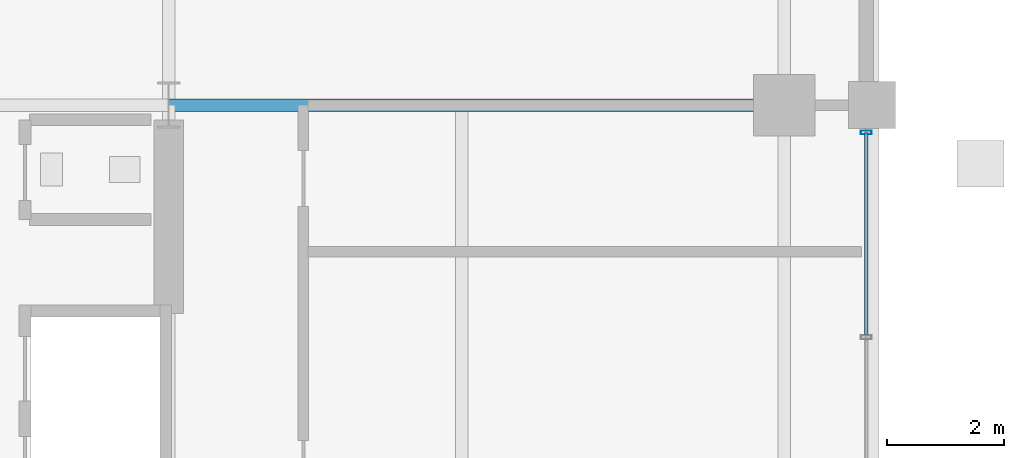
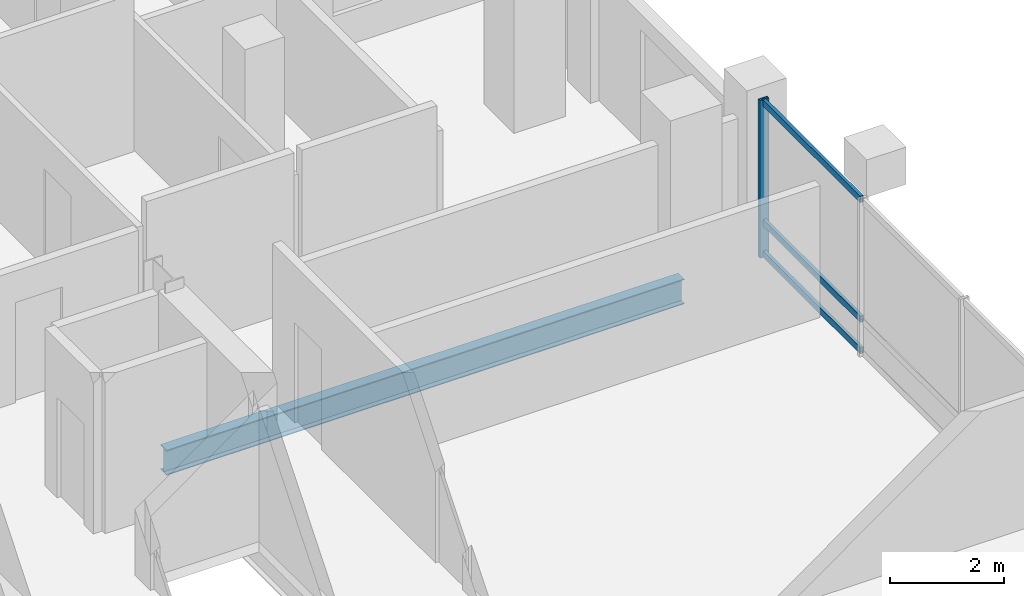
# One storey, part 11 of 24: 4 members, 1 beam, 1 element without a shape of its own.
"""IFC4 building model written with IfcOpenShell, lengths in metres."""

from ifc_helpers import new_model, si_unit, direction, frame, origin, origin_2d, place, context, subcontext, project, spatial, hollow_rectangle, i_section, extrude, material, layer, layer_set, material_profile, profile_set, type_object, element, aggregate, save


model = new_model("IFC4")

# Units and contexts
model_context = context("Model", 3, precision=1e-05, world=origin(), true_north=direction((0.0, 1.0)))
body_context = subcontext(model_context, "Body", "Model", "MODEL_VIEW")
ifc_project = project(units=[si_unit("LENGTHUNIT", "METRE"), si_unit("AREAUNIT", "SQUARE_METRE"), si_unit("VOLUMEUNIT", "CUBIC_METRE"), si_unit("PLANEANGLEUNIT", "RADIAN"), si_unit("MASSUNIT", "GRAM", prefix="KILO")], contexts=[model_context])

# Site, building, storey
site_placement = place(None, origin())
site = spatial("IfcSite", under=ifc_project, at=site_placement, CompositionType="ELEMENT")
building_placement = place(site_placement, origin())
building = spatial("IfcBuilding", under=site, at=building_placement, Name="Barlavira Tower and Art Museum", CompositionType="ELEMENT")
storey_placement = place(building_placement, frame((0.0, 0.0, 190.800048828125)))
storey = spatial("IfcBuildingStorey", under=building, at=storey_placement, Name="L49", CompositionType="ELEMENT", Elevation=190.800048828125)

# Curtain wall, members
ifc_material_1 = material(Name="Low-iron coastal laminated glass", Category="glass")
ifc_layer = layer(ifc_material_1, 0.199951171875, Name="Low-iron coastal laminated glass")
ifc_layer_set = layer_set([ifc_layer], Name="Low-iron coastal laminated glass")
curtain_wall_type = type_object("IfcCurtainWallType", Name="Pale-Metal Unitised Curtain Wall Zone 3", PredefinedType="NOTDEFINED", material=ifc_layer_set)
curtain_wall_placement = place(storey_placement, origin())
curtain_wall = element("IfcCurtainWall", 1, at=curtain_wall_placement, inside=storey, type_object=curtain_wall_type, Name="L49 Curtain Wall CW3-L49-E-B3", PredefinedType="NOTDEFINED")
ifc_material_2 = material(Name="Pale anodised aluminium", Category="aluminium")
ifc_material_profile_1 = material_profile(ifc_material_2, hollow_rectangle(XDim=0.06494140625, YDim=0.179931640625, WallThickness=0.00390625, at=origin_2d()), Name="ALU-MULL 65x180x4")
ifc_profile_set_1 = profile_set([ifc_material_profile_1], Name="Pale anodised aluminium")
member_type_1 = type_object("IfcMemberType", Name="Curtain Wall Pale-Metal Mullion 65x180", PredefinedType="MULLION", material=ifc_profile_set_1)
member_1_placement = place(storey_placement, frame((18.39990234375, 7.034912109375, 0.0), z_axis=(0.0, 0.0, 1.0), x_axis=(0.0, 1.0, 0.0)))
member_1 = element("IfcMember", 2, at=member_1_placement, type_object=member_type_1, Name="CW3-L49-E-B3 Mullion 4", PredefinedType="MULLION", context=body_context, shape_type="SweptSolid", body=[
    extrude(hollow_rectangle(XDim=0.06494140625, YDim=0.179931640625, WallThickness=0.00390625, at=origin_2d()), origin(), (0.0, 0.0, 1.0), 3.3798828125),
])
ifc_material_profile_2 = material_profile(ifc_material_2, hollow_rectangle(XDim=0.06494140625, YDim=0.139892578125, WallThickness=0.00390625, at=origin_2d()), Name="ALU-TRAN 65x140x4")
ifc_profile_set_2 = profile_set([ifc_material_profile_2], Name="Pale anodised aluminium")
member_type_2 = type_object("IfcMemberType", Name="Curtain Wall Pale-Metal Transom 65x140", PredefinedType="USERDEFINED", material=ifc_profile_set_2)
member_2_placement = place(storey_placement, frame((18.39990234375, 3.5849609375, 0.070068359375), z_axis=(0.0, 1.0, 0.0), x_axis=(-1.0, 0.0, 0.0)))
member_2 = element("IfcMember", 3, at=member_2_placement, type_object=member_type_2, Name="CW3-L49-E-B3 Transom 3.1", ObjectType="TRANSOM", PredefinedType="USERDEFINED", context=body_context, shape_type="SweptSolid", body=[
    extrude(hollow_rectangle(XDim=0.06494140625, YDim=0.139892578125, WallThickness=0.00390625, at=origin_2d()), origin(), (0.0, 0.0, 1.0), 3.449951171875),
])
member_3_placement = place(storey_placement, frame((18.39990234375, 3.5849609375, 0.743896484375), z_axis=(0.0, 1.0, 0.0), x_axis=(-1.0, 0.0, 0.0)))
member_3 = element("IfcMember", 4, at=member_3_placement, type_object=member_type_2, Name="CW3-L49-E-B3 Transom 3.2", ObjectType="TRANSOM", PredefinedType="USERDEFINED", context=body_context, shape_type="SweptSolid", body=[
    extrude(hollow_rectangle(XDim=0.06494140625, YDim=0.139892578125, WallThickness=0.00390625, at=origin_2d()), origin(), (0.0, 0.0, 1.0), 3.449951171875),
])
member_4_placement = place(storey_placement, frame((18.39990234375, 3.5849609375, 3.31005859375), z_axis=(0.0, 1.0, 0.0), x_axis=(-1.0, 0.0, 0.0)))
member_4 = element("IfcMember", 5, at=member_4_placement, type_object=member_type_2, Name="CW3-L49-E-B3 Transom 3.3", ObjectType="TRANSOM", PredefinedType="USERDEFINED", context=body_context, shape_type="SweptSolid", body=[
    extrude(hollow_rectangle(XDim=0.06494140625, YDim=0.139892578125, WallThickness=0.00390625, at=origin_2d()), origin(), (0.0, 0.0, 1.0), 3.449951171875),
])
aggregate(curtain_wall, [member_1, member_2, member_3, member_4])

# Beam
ifc_material_3 = material(Name="Steel S355", Category="steel")
ifc_material_profile_3 = material_profile(ifc_material_3, i_section(OverallWidth=0.2109375, OverallDepth=0.5390625, WebThickness=0.01171875, FlangeThickness=0.018798828125, at=origin_2d()), Name="W530x109.0")
ifc_profile_set_3 = profile_set([ifc_material_profile_3], Name="Steel S355")
beam_type = type_object("IfcBeamType", Name="Zone 3-4 Primary Floor Girder W530x109 Steel S355", PredefinedType="BEAM", material=ifc_profile_set_3)
beam_placement = place(storey_placement, frame((6.5, 7.5, -0.489501953125), z_axis=(1.0, 0.0, 0.0), x_axis=(0.0, 1.0, 0.0)))
element("IfcBeam", 6, at=beam_placement, inside=storey, type_object=beam_type, Name="L49 Girder R-E2", PredefinedType="BEAM", context=body_context, shape_type="SweptSolid", body=[
    extrude(i_section(OverallWidth=0.2109375, OverallDepth=0.5390625, WebThickness=0.01171875, FlangeThickness=0.018798828125, at=origin_2d()), origin(), (0.0, 0.0, 1.0), 10.5),
])

save(model, "model.ifc")
